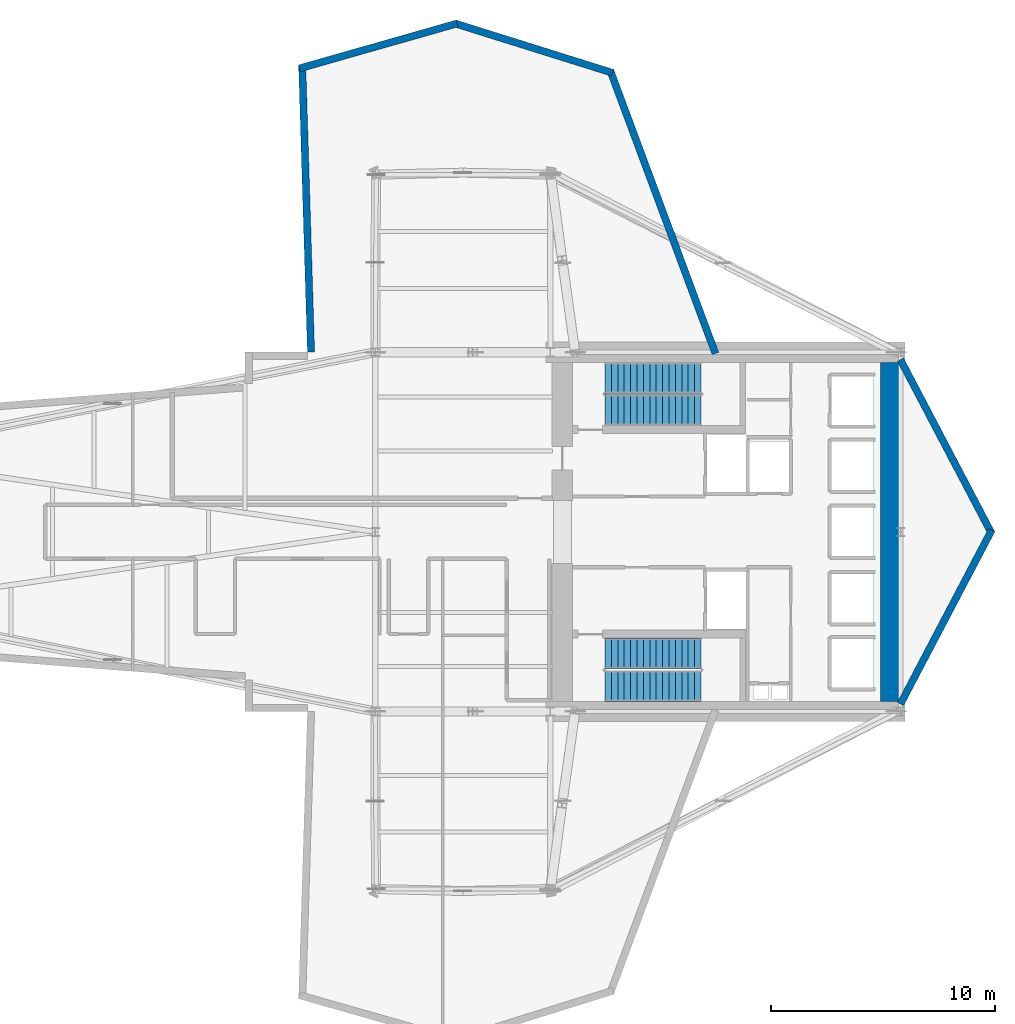
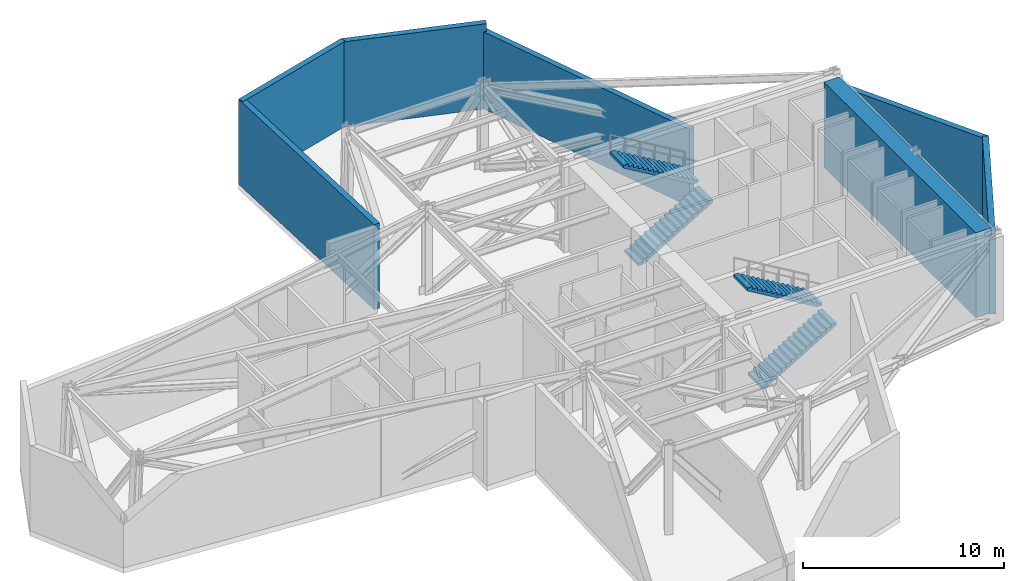
# One storey, part 6 of 7: 7 walls, 4 stair flights, 2 elements without a shape of their own.
"""IFC4 building model written with IfcOpenShell, lengths in metres."""

from ifc_helpers import new_model, si_unit, direction, frame, frame_2d, origin, place, context, subcontext, project, spatial, polyline, rectangle, outline, extrude, material, layer, layer_set, type_object, element, aggregate, save


model = new_model("IFC4")

# Units and contexts
model_context = context("Model", 3, precision=1e-05, world=origin(), true_north=direction((0.0, 1.0)))
body_context = subcontext(model_context, "Body", "Model", "MODEL_VIEW")
ifc_project = project(units=[si_unit("LENGTHUNIT", "METRE"), si_unit("AREAUNIT", "SQUARE_METRE"), si_unit("VOLUMEUNIT", "CUBIC_METRE"), si_unit("PLANEANGLEUNIT", "RADIAN"), si_unit("MASSUNIT", "GRAM", prefix="KILO")], contexts=[model_context])

# Site, building, storey
site_placement = place(None, origin())
site = spatial("IfcSite", under=ifc_project, at=site_placement, CompositionType="ELEMENT")
building_placement = place(site_placement, origin())
building = spatial("IfcBuilding", under=site, at=building_placement, Name="Veymaron Broadcast Tower", CompositionType="ELEMENT")
storey_placement = place(building_placement, frame((0.0, 0.0, 32.39990234375)))
storey = spatial("IfcBuildingStorey", under=building, at=storey_placement, Name="L06", CompositionType="ELEMENT", Elevation=32.39990234375)

# Walls
ifc_material_1 = material(Name="Precast concrete C40/50", Category="concrete")
ifc_layer_1 = layer(ifc_material_1, 0.320068359375)
ifc_layer_set_1 = layer_set([ifc_layer_1], Name="Precast concrete C40/50")
wall_type_1 = type_object("IfcWallType", Name="WALL-EXT-320", PredefinedType="STANDARD", material=ifc_layer_set_1)
for number, where, z_axis, x_axis, name in (
    (1, (54.592041015625, 16.3291015625, 0.0), (0.0, 0.0, 1.0), (0.464820224878, 0.885405081612, 0.0), "L06 mechanical belt-truss facade band 2-1"),
    (2, (58.658203125, 23.925537109375, 0.0), (0.0, 0.0, 1.0), (-0.464820224878, 0.885405081612, 0.0), "L06 mechanical belt-truss facade band 3-1"),
):
    element("IfcWall", number, at=place(storey_placement, frame(where, z_axis=z_axis, x_axis=x_axis)), inside=storey, type_object=wall_type_1, Name=name, PredefinedType="STANDARD", context=body_context, shape_type="SweptSolid", body=[
        extrude(rectangle(XDim=8.747802734375, YDim=0.320068359375, at=frame_2d((4.3740234375, 0.0))), origin(), (0.0, 0.0, 1.0), 4.68798828125),
    ])
wall_1_placement = place(storey_placement, frame((46.352783203125, 31.9443359375, 0.0), z_axis=(0.0, 0.0, 1.0), x_axis=(-0.34837713867, 0.937354452303, 0.0)))
element("IfcWall", 3, at=wall_1_placement, inside=storey, type_object=wall_type_1, Name="L06 mechanical belt-truss facade band 5-1", PredefinedType="STANDARD", context=body_context, shape_type="SweptSolid", body=[
    extrude(rectangle(XDim=13.44189453125, YDim=0.320068359375, at=frame_2d((6.720947265625, 0.0))), origin(), (0.0, 0.0, 1.0), 4.68798828125),
])
wall_2_placement = place(storey_placement, frame((41.772216796875, 44.447265625, 0.0), z_axis=(0.0, 0.0, 1.0), x_axis=(-0.954239925005, 0.299042079858, 0.0)))
element("IfcWall", 4, at=wall_2_placement, inside=storey, type_object=wall_type_1, Name="L06 mechanical belt-truss facade band 6-1", PredefinedType="STANDARD", context=body_context, shape_type="SweptSolid", body=[
    extrude(rectangle(XDim=7.356689453125, YDim=0.320068359375, at=frame_2d((3.67822265625, 0.0))), origin(), (0.0, 0.0, 1.0), 5.16015625),
])
wall_3_placement = place(storey_placement, frame((34.84375, 46.64599609375, 0.0), z_axis=(0.0, 0.0, 1.0), x_axis=(-0.961730666524, -0.273996578569, 0.0)))
element("IfcWall", 5, at=wall_3_placement, inside=storey, type_object=wall_type_1, Name="L06 mechanical belt-truss facade band 7-1", PredefinedType="STANDARD", context=body_context, shape_type="SweptSolid", body=[
    extrude(rectangle(XDim=7.29931640625, YDim=0.320068359375, at=frame_2d((3.649658203125, 0.0))), origin(), (0.0, 0.0, 1.0), 5.16015625),
])
wall_4_placement = place(storey_placement, frame((27.93994140625, 44.804931640625, 0.0), z_axis=(0.0, 0.0, 1.0), x_axis=(0.030865144105, -0.999523557941, 0.0)))
element("IfcWall", 6, at=wall_4_placement, inside=storey, type_object=wall_type_1, Name="L06 mechanical belt-truss facade band 8-1", PredefinedType="STANDARD", context=body_context, shape_type="SweptSolid", body=[
    extrude(rectangle(XDim=12.80615234375, YDim=0.320068359375, at=frame_2d((6.403076171875, 0.0))), origin(), (0.0, 0.0, 1.0), 5.16015625),
])
ifc_material_2 = material(Name="Concrete C70/85", Category="concrete")
ifc_layer_2 = layer(ifc_material_2, 0.89990234375)
ifc_layer_set_2 = layer_set([ifc_layer_2], Name="Concrete C70/85")
wall_type_2 = type_object("IfcWallType", Name="WALL-SHEAR-900", PredefinedType="SHEAR", material=ifc_layer_set_2)
wall_5_placement = place(storey_placement, frame((54.14990234375, 16.449951171875, 0.0), z_axis=(0.0, 0.0, 1.0), x_axis=(0.0, 1.0, 0.0)))
element("IfcWall", 7, at=wall_5_placement, inside=storey, type_object=wall_type_2, Name="L06 Core Wall east shear", PredefinedType="SHEAR", context=body_context, shape_type="SweptSolid", body=[
    extrude(rectangle(XDim=15.10009765625, YDim=0.89990234375, at=frame_2d((7.550048828125, 0.0))), origin(), (0.0, 0.0, 1.0), 5.16015625),
])

# Stair, stair flights
ifc_material_3 = material(Name="Concrete C50/60", Category="concrete")
stair_type_1 = type_object("IfcStairType", Name="STAIR-CORE-1", PredefinedType="HALF_TURN_STAIR", material=ifc_material_3)
stair_1_placement = place(storey_placement, origin())
stair_1 = element("IfcStair", 8, at=stair_1_placement, inside=storey, type_object=stair_type_1, Name="L06 North protected dog-leg exit stair ST1", PredefinedType="HALF_TURN_STAIR")
ifc_material_4 = material(Name="Precast concrete C50/60", Category="concrete")
stair_flight_type = type_object("IfcStairFlightType", Name="FLT-CORE-RC", PredefinedType="STRAIGHT", material=ifc_material_4)
stair_flight_1_placement = place(storey_placement, frame((41.429931640625, 29.419921875, 0.0), z_axis=(0.0, 0.0, 1.0), x_axis=(1.0, 0.0, 0.0)))
stair_flight_1 = element("IfcStairFlight", 9, at=stair_flight_1_placement, type_object=stair_flight_type, Name="ST1 flight 1", NumberOfRisers=16, NumberOfTreads=15, PredefinedType="STRAIGHT", RiserHeight=0.16875, TreadLength=0.285, context=body_context, shape_type="SweptSolid", body=[
    extrude(outline(polyline([(0.0, 0.0), (0.0, 0.168701171875), (0.284912109375, 0.168701171875), (0.284912109375, 0.33740234375), (0.570068359375, 0.33740234375), (0.570068359375, 0.50634765625), (0.85498046875, 0.50634765625), (0.85498046875, 0.675048828125), (1.139892578125, 0.675048828125), (1.139892578125, 0.84375), (1.425048828125, 0.84375), (1.425048828125, 1.012451171875), (1.7099609375, 1.012451171875), (1.7099609375, 1.18115234375), (1.9951171875, 1.18115234375), (1.9951171875, 1.35009765625), (2.280029296875, 1.35009765625), (2.280029296875, 1.518798828125), (2.56494140625, 1.518798828125), (2.56494140625, 1.6875), (2.85009765625, 1.6875), (2.85009765625, 1.856201171875), (3.135009765625, 1.856201171875), (3.135009765625, 2.02490234375), (3.419921875, 2.02490234375), (3.419921875, 2.19384765625), (3.705078125, 2.19384765625), (3.705078125, 2.362548828125), (3.989990234375, 2.362548828125), (3.989990234375, 2.53125), (4.27490234375, 2.53125), (4.27490234375, 2.699951171875), (4.27490234375, 2.35693359375), (0.294189453125, 0.0), (0.0, 0.0)])), frame((0.0, 0.68994140625, 0.0), z_axis=(0.0, -1.0, 0.0), x_axis=(1.0, 0.0, 0.0)), (0.0, 0.0, 1.0), 1.3798828125),
])
stair_flight_2_placement = place(storey_placement, frame((45.705078125, 30.860107421875, 2.7001953125), z_axis=(0.0, 0.0, 1.0), x_axis=(-1.0, 0.0, 0.0)))
stair_flight_2 = element("IfcStairFlight", 10, at=stair_flight_2_placement, type_object=stair_flight_type, Name="ST1 flight 2", NumberOfRisers=16, NumberOfTreads=15, PredefinedType="STRAIGHT", RiserHeight=0.16875, TreadLength=0.285, context=body_context, shape_type="SweptSolid", body=[
    extrude(outline(polyline([(0.0, 0.0), (0.0, 0.168701171875), (0.284912109375, 0.168701171875), (0.284912109375, 0.33740234375), (0.570068359375, 0.33740234375), (0.570068359375, 0.50634765625), (0.85498046875, 0.50634765625), (0.85498046875, 0.675048828125), (1.139892578125, 0.675048828125), (1.139892578125, 0.84375), (1.425048828125, 0.84375), (1.425048828125, 1.012451171875), (1.7099609375, 1.012451171875), (1.7099609375, 1.18115234375), (1.9951171875, 1.18115234375), (1.9951171875, 1.35009765625), (2.280029296875, 1.35009765625), (2.280029296875, 1.518798828125), (2.56494140625, 1.518798828125), (2.56494140625, 1.6875), (2.85009765625, 1.6875), (2.85009765625, 1.856201171875), (3.135009765625, 1.856201171875), (3.135009765625, 2.02490234375), (3.419921875, 2.02490234375), (3.419921875, 2.19384765625), (3.705078125, 2.19384765625), (3.705078125, 2.362548828125), (3.989990234375, 2.362548828125), (3.989990234375, 2.53125), (4.27490234375, 2.53125), (4.27490234375, 2.699951171875), (4.27490234375, 2.35693359375), (0.294189453125, 0.0), (0.0, 0.0)])), frame((0.0, 0.68994140625, 0.0), z_axis=(0.0, -1.0, 0.0), x_axis=(1.0, 0.0, 0.0)), (0.0, 0.0, 1.0), 1.3798828125),
])
aggregate(stair_1, [stair_flight_1, stair_flight_2])

stair_type_2 = type_object("IfcStairType", Name="STAIR-CORE-2", PredefinedType="HALF_TURN_STAIR", material=ifc_material_3)
stair_2_placement = place(storey_placement, origin())
stair_2 = element("IfcStair", 11, at=stair_2_placement, inside=storey, type_object=stair_type_2, Name="L06 South protected dog-leg exit stair ST2", PredefinedType="HALF_TURN_STAIR")
stair_flight_3_placement = place(storey_placement, frame((41.429931640625, 17.139892578125, 0.0), z_axis=(0.0, 0.0, 1.0), x_axis=(1.0, 0.0, 0.0)))
stair_flight_3 = element("IfcStairFlight", 12, at=stair_flight_3_placement, type_object=stair_flight_type, Name="ST2 flight 1", NumberOfRisers=16, NumberOfTreads=15, PredefinedType="STRAIGHT", RiserHeight=0.16875, TreadLength=0.285, context=body_context, shape_type="SweptSolid", body=[
    extrude(outline(polyline([(0.0, 0.0), (0.0, 0.168701171875), (0.284912109375, 0.168701171875), (0.284912109375, 0.33740234375), (0.570068359375, 0.33740234375), (0.570068359375, 0.50634765625), (0.85498046875, 0.50634765625), (0.85498046875, 0.675048828125), (1.139892578125, 0.675048828125), (1.139892578125, 0.84375), (1.425048828125, 0.84375), (1.425048828125, 1.012451171875), (1.7099609375, 1.012451171875), (1.7099609375, 1.18115234375), (1.9951171875, 1.18115234375), (1.9951171875, 1.35009765625), (2.280029296875, 1.35009765625), (2.280029296875, 1.518798828125), (2.56494140625, 1.518798828125), (2.56494140625, 1.6875), (2.85009765625, 1.6875), (2.85009765625, 1.856201171875), (3.135009765625, 1.856201171875), (3.135009765625, 2.02490234375), (3.419921875, 2.02490234375), (3.419921875, 2.19384765625), (3.705078125, 2.19384765625), (3.705078125, 2.362548828125), (3.989990234375, 2.362548828125), (3.989990234375, 2.53125), (4.27490234375, 2.53125), (4.27490234375, 2.699951171875), (4.27490234375, 2.35693359375), (0.294189453125, 0.0), (0.0, 0.0)])), frame((0.0, 0.68994140625, 0.0), z_axis=(0.0, -1.0, 0.0), x_axis=(1.0, 0.0, 0.0)), (0.0, 0.0, 1.0), 1.3798828125),
])
stair_flight_4_placement = place(storey_placement, frame((45.705078125, 18.580078125, 2.7001953125), z_axis=(0.0, 0.0, 1.0), x_axis=(-1.0, 0.0, 0.0)))
stair_flight_4 = element("IfcStairFlight", 13, at=stair_flight_4_placement, type_object=stair_flight_type, Name="ST2 flight 2", NumberOfRisers=16, NumberOfTreads=15, PredefinedType="STRAIGHT", RiserHeight=0.16875, TreadLength=0.285, context=body_context, shape_type="SweptSolid", body=[
    extrude(outline(polyline([(0.0, 0.0), (0.0, 0.168701171875), (0.284912109375, 0.168701171875), (0.284912109375, 0.33740234375), (0.570068359375, 0.33740234375), (0.570068359375, 0.50634765625), (0.85498046875, 0.50634765625), (0.85498046875, 0.675048828125), (1.139892578125, 0.675048828125), (1.139892578125, 0.84375), (1.425048828125, 0.84375), (1.425048828125, 1.012451171875), (1.7099609375, 1.012451171875), (1.7099609375, 1.18115234375), (1.9951171875, 1.18115234375), (1.9951171875, 1.35009765625), (2.280029296875, 1.35009765625), (2.280029296875, 1.518798828125), (2.56494140625, 1.518798828125), (2.56494140625, 1.6875), (2.85009765625, 1.6875), (2.85009765625, 1.856201171875), (3.135009765625, 1.856201171875), (3.135009765625, 2.02490234375), (3.419921875, 2.02490234375), (3.419921875, 2.19384765625), (3.705078125, 2.19384765625), (3.705078125, 2.362548828125), (3.989990234375, 2.362548828125), (3.989990234375, 2.53125), (4.27490234375, 2.53125), (4.27490234375, 2.699951171875), (4.27490234375, 2.35693359375), (0.294189453125, 0.0), (0.0, 0.0)])), frame((0.0, 0.68994140625, 0.0), z_axis=(0.0, -1.0, 0.0), x_axis=(1.0, 0.0, 0.0)), (0.0, 0.0, 1.0), 1.3798828125),
])
aggregate(stair_2, [stair_flight_3, stair_flight_4])

save(model, "model.ifc")
